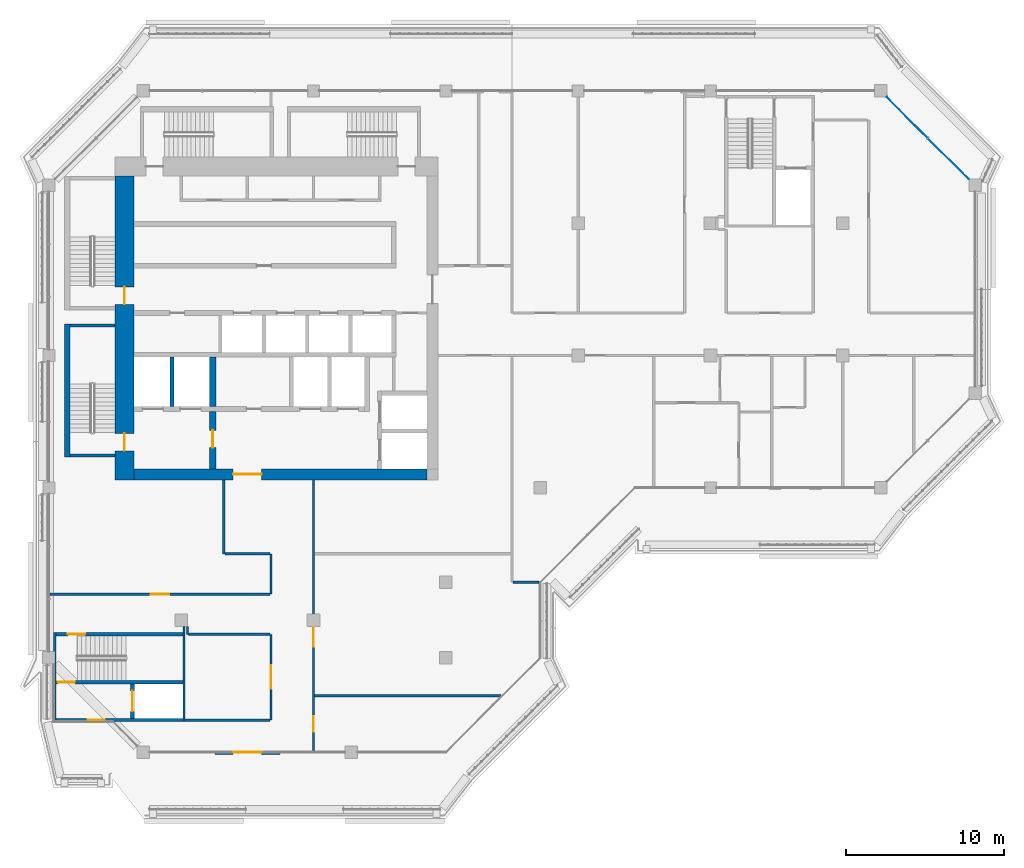
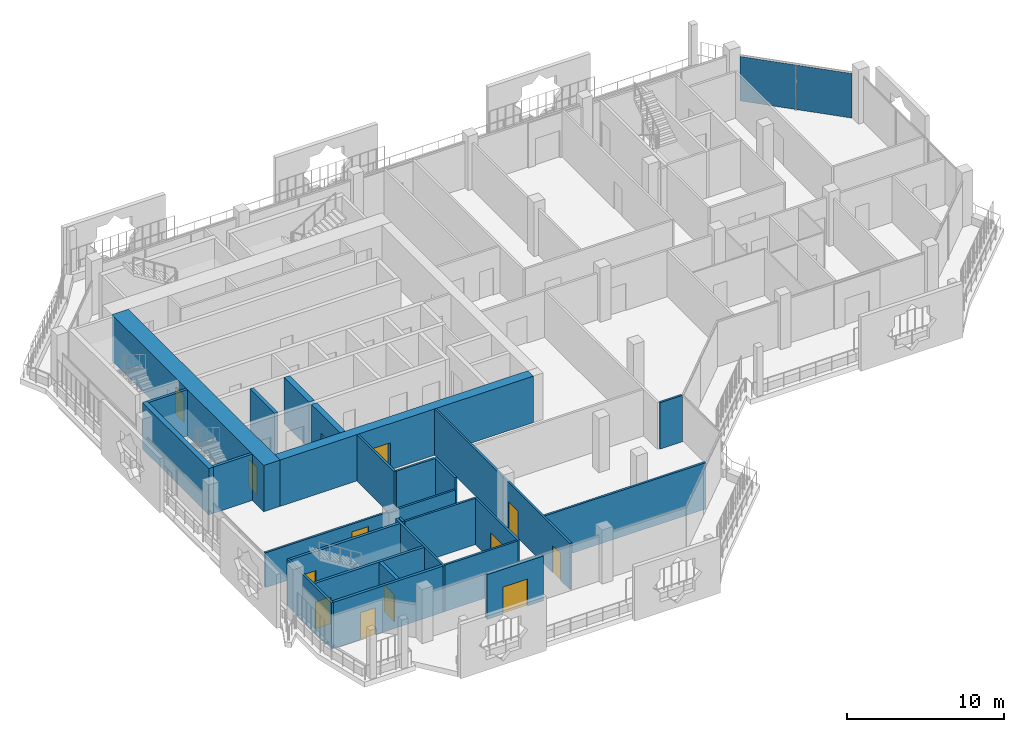
# One storey, part 10 of 21: 26 walls, 13 doors, 2 plates, 13 openings, 1 element without a shape of its own.
"""IFC4 building model written with IfcOpenShell, lengths in metres."""

from ifc_helpers import new_model, si_unit, direction, frame, frame_2d, origin, origin_2d, place, context, subcontext, project, spatial, rectangle, extrude, material, layer, layer_set, type_object, element, fill, aggregate, save


model = new_model("IFC4")

# Units and contexts
model_context = context("Model", 3, precision=1e-05, world=origin(), true_north=direction((0.0, 1.0)))
body_context = subcontext(model_context, "Body", "Model", "MODEL_VIEW")
ifc_project = project(units=[si_unit("LENGTHUNIT", "METRE"), si_unit("AREAUNIT", "SQUARE_METRE"), si_unit("VOLUMEUNIT", "CUBIC_METRE"), si_unit("PLANEANGLEUNIT", "RADIAN"), si_unit("MASSUNIT", "GRAM", prefix="KILO")], contexts=[model_context])

# Site, building, storey
site_placement = place(None, origin())
site = spatial("IfcSite", under=ifc_project, at=site_placement, CompositionType="ELEMENT")
building_placement = place(site_placement, origin())
building = spatial("IfcBuilding", under=site, at=building_placement, Name="Kawkab Arch Medical Tower", CompositionType="ELEMENT")
storey_placement = place(building_placement, frame((0.0, 0.0, 315.39990234375)))
storey = spatial("IfcBuildingStorey", under=building, at=storey_placement, Name="L73", CompositionType="ELEMENT", Elevation=315.39990234375)

# Curtain wall, plates
ifc_material_1 = material(Name="Bronze anodised aluminium curtain wall frame", Category="aluminium")
ifc_layer_1 = layer(ifc_material_1, 0.159912109375)
ifc_layer_set_1 = layer_set([ifc_layer_1], Name="Bronze anodised aluminium curtain wall frame")
curtain_wall_type = type_object("IfcCurtainWallType", Name="CW2 chamfer curtain wall", PredefinedType="NOTDEFINED", material=ifc_layer_set_1)
curtain_wall_placement = place(storey_placement, origin())
curtain_wall = element("IfcCurtainWall", 1, at=curtain_wall_placement, inside=storey, type_object=curtain_wall_type, Name="CW2 Chamfer curtain wall R14", PredefinedType="NOTDEFINED")
ifc_material_2 = material(Name="Tinted insulating glass, bronze low-e coating", Category="glass")
ifc_layer_2 = layer(ifc_material_2, 0.031982421875)
ifc_layer_set_2 = layer_set([ifc_layer_2], Name="Tinted insulating glass, bronze low-e coating")
plate_type = type_object("IfcPlateType", Name="CW2 glazing unit 32", PredefinedType="CURTAIN_PANEL", material=ifc_layer_set_2)
plate_1_placement = place(storey_placement, frame((57.110595703125, -4.310546875, 0.0), z_axis=(0.0, 0.0, 1.0), x_axis=(-0.707106781187, 0.707106781187, 0.0)))
plate_1 = element("IfcPlate", 2, at=plate_1_placement, type_object=plate_type, Name="CW2 glazing unit 1.1", PredefinedType="CURTAIN_PANEL", context=body_context, shape_type="SweptSolid", body=[
    extrude(rectangle(XDim=3.64697265625, YDim=0.031982421875, at=origin_2d()), origin(), (0.0, 0.0, 1.0), 3.4599609375),
])
plate_2_placement = place(storey_placement, frame((54.489501953125, -1.689453125, 0.0), z_axis=(0.0, 0.0, 1.0), x_axis=(-0.707106781187, 0.707106781187, 0.0)))
plate_2 = element("IfcPlate", 3, at=plate_2_placement, type_object=plate_type, Name="CW2 glazing unit 1.2", PredefinedType="CURTAIN_PANEL", context=body_context, shape_type="SweptSolid", body=[
    extrude(rectangle(XDim=3.64697265625, YDim=0.031982421875, at=origin_2d()), origin(), (0.0, 0.0, 1.0), 3.4599609375),
])
aggregate(curtain_wall, [plate_1, plate_2])

# Wall, openings, doors
ifc_material_3 = material(Name="Concrete C50/60", Category="concrete")
ifc_layer_3 = layer(ifc_material_3, 1.199951171875)
ifc_layer_set_3 = layer_set([ifc_layer_3], Name="Concrete C50/60")
wall_type_1 = type_object("IfcWallType", Name="Core ring wall 1200 C50/60", PredefinedType="SHEAR", material=ifc_layer_set_3)
wall_1_placement = place(storey_placement, frame((4.800048828125, -24.699951171875, 0.0), z_axis=(0.0, 0.0, 1.0), x_axis=(0.0, 1.0, 0.0)))
wall_1 = element("IfcWall", 4, at=wall_1_placement, inside=storey, type_object=wall_type_1, Name="L73 core wall", PredefinedType="SHEAR", context=body_context, shape_type="SweptSolid", body=[
    extrude(rectangle(XDim=19.300048828125, YDim=1.199951171875, at=frame_2d((9.64990234375, 0.0))), origin(), (0.0, 0.0, 1.0), 3.60009765625),
])
opening_1_placement = place(wall_1_placement, frame((11.14990234375, 0.0, 0.0)))
opening_1 = element("IfcOpeningElement", 5, at=opening_1_placement, cuts=wall_1, Name="Opening SD", PredefinedType="OPENING", context=body_context, shape_type="SweptSolid", body=[
    extrude(rectangle(XDim=1.10009765625, YDim=2.10009765625, at=frame_2d((0.550048828125, 1.050048828125))), frame((0.0, 0.60986328125, 0.0), z_axis=(0.0, -1.0, 0.0), x_axis=(1.0, 0.0, 0.0)), (0.0, 0.0, 1.0), 1.219970703125),
])
opening_2_placement = place(wall_1_placement, frame((1.85009765625, 0.0, 0.0)))
opening_2 = element("IfcOpeningElement", 6, at=opening_2_placement, cuts=wall_1, Name="Opening SD", PredefinedType="OPENING", context=body_context, shape_type="SweptSolid", body=[
    extrude(rectangle(XDim=1.10009765625, YDim=2.10009765625, at=frame_2d((0.550048828125, 1.050048828125))), frame((0.0, 0.60986328125, 0.0), z_axis=(0.0, -1.0, 0.0), x_axis=(1.0, 0.0, 0.0)), (0.0, 0.0, 1.0), 1.219970703125),
])
ifc_material_4 = material(Name="Hollow metal fire door leaf")
door_type_1 = type_object("IfcDoorType", Name="Exit stair door 1100", OperationType="SINGLE_SWING_LEFT", PredefinedType="DOOR", material=ifc_material_4)
door_1_placement = place(opening_1_placement, origin())
door_1 = element("IfcDoor", 7, at=door_1_placement, inside=storey, type_object=door_type_1, Name="L73 Exit stair ST1 door", OperationType="SINGLE_SWING_LEFT", OverallHeight=2.10009765625, OverallWidth=1.10009765625, PredefinedType="DOOR", context=body_context, shape_type="SweptSolid", body=[
    extrude(rectangle(XDim=1.10009765625, YDim=2.10009765625, at=frame_2d((0.550048828125, 1.050048828125))), frame((0.0, 0.02490234375, 0.0), z_axis=(0.0, -1.0, 0.0), x_axis=(1.0, 0.0, 0.0)), (0.0, 0.0, 1.0), 0.050048828125),
])
fill(opening_1, door_1)
door_2_placement = place(opening_2_placement, origin())
door_2 = element("IfcDoor", 8, at=door_2_placement, inside=storey, type_object=door_type_1, Name="L73 Exit stair ST2 door", OperationType="SINGLE_SWING_LEFT", OverallHeight=2.10009765625, OverallWidth=1.10009765625, PredefinedType="DOOR", context=body_context, shape_type="SweptSolid", body=[
    extrude(rectangle(XDim=1.10009765625, YDim=2.10009765625, at=frame_2d((0.550048828125, 1.050048828125))), frame((0.0, 0.02490234375, 0.0), z_axis=(0.0, -1.0, 0.0), x_axis=(1.0, 0.0, 0.0)), (0.0, 0.0, 1.0), 0.050048828125),
])
fill(opening_2, door_2)

# Wall, opening, door
ifc_material_5 = material(Name="Concrete C50/60", Category="concrete")
ifc_layer_4 = layer(ifc_material_5, 0.699951171875)
ifc_layer_set_4 = layer_set([ifc_layer_4], Name="Concrete C50/60")
wall_type_2 = type_object("IfcWallType", Name="Core ring wall 700 C50/60", PredefinedType="SHEAR", material=ifc_layer_set_4)
wall_2_placement = place(storey_placement, frame((5.39990234375, -24.35009765625, 0.0), z_axis=(0.0, 0.0, 1.0), x_axis=(1.0, 0.0, 0.0)))
wall_2 = element("IfcWall", 9, at=wall_2_placement, inside=storey, type_object=wall_type_2, Name="L73 core wall", PredefinedType="SHEAR", context=body_context, shape_type="SweptSolid", body=[
    extrude(rectangle(XDim=18.60009765625, YDim=0.699951171875, at=frame_2d((9.300048828125, 0.0))), origin(), (0.0, 0.0, 1.0), 3.60009765625),
])
opening_3_placement = place(wall_2_placement, frame((6.300048828125, 0.0, 0.0)))
opening_3 = element("IfcOpeningElement", 10, at=opening_3_placement, cuts=wall_2, Name="Opening PD", PredefinedType="OPENING", context=body_context, shape_type="SweptSolid", body=[
    extrude(rectangle(XDim=1.800048828125, YDim=2.10009765625, at=frame_2d((0.89990234375, 1.050048828125))), frame((0.0, 0.35986328125, 0.0), z_axis=(0.0, -1.0, 0.0), x_axis=(1.0, 0.0, 0.0)), (0.0, 0.0, 1.0), 0.719970703125),
])
ifc_material_6 = material(Name="Hollow metal fire door leaf")
door_type_2 = type_object("IfcDoorType", Name="Core entrance doors 1800", OperationType="DOUBLE_DOOR_SINGLE_SWING", PredefinedType="DOOR", material=ifc_material_6)
door_3_placement = place(opening_3_placement, origin())
door_3 = element("IfcDoor", 11, at=door_3_placement, inside=storey, type_object=door_type_2, Name="L73 South entrance doors", OperationType="DOUBLE_DOOR_SINGLE_SWING", OverallHeight=2.10009765625, OverallWidth=1.800048828125, PredefinedType="DOOR", context=body_context, shape_type="SweptSolid", body=[
    extrude(rectangle(XDim=1.800048828125, YDim=2.10009765625, at=frame_2d((0.89990234375, 1.050048828125))), frame((0.0, 0.02490234375, 0.0), z_axis=(0.0, -1.0, 0.0), x_axis=(1.0, 0.0, 0.0)), (0.0, 0.0, 1.0), 0.050048828125),
])
fill(opening_3, door_3)

# Wall
ifc_material_7 = material(Name="Concrete C60/75", Category="concrete")
ifc_layer_5 = layer(ifc_material_7, 0.25)
ifc_layer_set_5 = layer_set([ifc_layer_5], Name="Concrete C60/75")
wall_type_3 = type_object("IfcWallType", Name="Core shear wall 250 C60/75", PredefinedType="SHEAR", material=ifc_layer_set_5)
wall_3_placement = place(storey_placement, frame((7.800048828125, -20.050048828125, 0.0), z_axis=(0.0, 0.0, 1.0), x_axis=(0.0, 1.0, 0.0)))
element("IfcWall", 12, at=wall_3_placement, inside=storey, type_object=wall_type_3, Name="L73 core shear wall", PredefinedType="SHEAR", context=body_context, shape_type="SweptSolid", body=[
    extrude(rectangle(XDim=3.150146484375, YDim=0.25, at=frame_2d((1.5751953125, 0.0))), origin(), (0.0, 0.0, 1.0), 3.60009765625),
])

# Wall, opening, door
wall_4_placement = place(storey_placement, frame((5.300048828125, -39.85009765625, 0.0), z_axis=(0.0, 0.0, 1.0), x_axis=(0.0, 1.0, 0.0)))
wall_4 = element("IfcWall", 13, at=wall_4_placement, inside=storey, type_object=wall_type_3, Name="L73 core shear wall", PredefinedType="SHEAR", context=body_context, shape_type="SweptSolid", body=[
    extrude(rectangle(XDim=2.2001953125, YDim=0.25, at=frame_2d((1.10009765625, 0.0))), origin(), (0.0, 0.0, 1.0), 3.60009765625),
])
opening_4_placement = place(wall_4_placement, frame((0.449951171875, 0.0, 0.0)))
opening_4 = element("IfcOpeningElement", 14, at=opening_4_placement, cuts=wall_4, Name="Opening LD2", PredefinedType="OPENING", context=body_context, shape_type="SweptSolid", body=[
    extrude(rectangle(XDim=1.300048828125, YDim=2.10009765625, at=frame_2d((0.64990234375, 1.050048828125))), frame((0.0, 0.135009765625, 0.0), z_axis=(0.0, -1.0, 0.0), x_axis=(1.0, 0.0, 0.0)), (0.0, 0.0, 1.0), 0.27001953125),
])
ifc_material_8 = material(Name="Stainless steel lift door leaf", Category="steel")
door_type_3 = type_object("IfcDoorType", Name="Lift landing door 1300", OperationType="DOUBLE_DOOR_SLIDING", PredefinedType="DOOR", material=ifc_material_8)
door_4_placement = place(opening_4_placement, origin())
door_4 = element("IfcDoor", 15, at=door_4_placement, inside=storey, type_object=door_type_3, Name="L73 Lift landing door SV2", OperationType="DOUBLE_DOOR_SLIDING", OverallHeight=2.10009765625, OverallWidth=1.300048828125, PredefinedType="DOOR", context=body_context, shape_type="SweptSolid", body=[
    extrude(rectangle(XDim=1.300048828125, YDim=2.10009765625, at=frame_2d((0.64990234375, 1.050048828125))), frame((0.0, 0.02490234375, 0.0), z_axis=(0.0, -1.0, 0.0), x_axis=(1.0, 0.0, 0.0)), (0.0, 0.0, 1.0), 0.050048828125),
])
fill(opening_4, door_4)

ifc_material_9 = material(Name="Concrete C60/75", Category="concrete")
ifc_layer_6 = layer(ifc_material_9, 0.39990234375)
ifc_layer_set_6 = layer_set([ifc_layer_6], Name="Concrete C60/75")
wall_type_4 = type_object("IfcWallType", Name="Core shear wall 400 C60/75", PredefinedType="SHEAR", material=ifc_layer_set_6)
wall_5_placement = place(storey_placement, frame((10.39990234375, -24.0, 0.0), z_axis=(0.0, 0.0, 1.0), x_axis=(0.0, 1.0, 0.0)))
wall_5 = element("IfcWall", 16, at=wall_5_placement, inside=storey, type_object=wall_type_4, Name="L73 core shear wall", PredefinedType="SHEAR", context=body_context, shape_type="SweptSolid", body=[
    extrude(rectangle(XDim=3.64990234375, YDim=0.39990234375, at=frame_2d((1.824951171875, 0.0))), origin(), (0.0, 0.0, 1.0), 3.60009765625),
])
opening_5_placement = place(wall_5_placement, frame((1.35009765625, 0.0, 0.0)))
opening_5 = element("IfcOpeningElement", 17, at=opening_5_placement, cuts=wall_5, Name="Opening FD", PredefinedType="OPENING", context=body_context, shape_type="SweptSolid", body=[
    extrude(rectangle(XDim=1.10009765625, YDim=2.10009765625, at=frame_2d((0.550048828125, 1.050048828125))), frame((0.0, 0.2099609375, 0.0), z_axis=(0.0, -1.0, 0.0), x_axis=(1.0, 0.0, 0.0)), (0.0, 0.0, 1.0), 0.419921875),
])
ifc_material_10 = material(Name="Hollow metal fire door leaf")
door_type_4 = type_object("IfcDoorType", Name="Firefighting lobby door 1100", OperationType="SINGLE_SWING_LEFT", PredefinedType="DOOR", material=ifc_material_10)
door_5_placement = place(opening_5_placement, origin())
door_5 = element("IfcDoor", 18, at=door_5_placement, inside=storey, type_object=door_type_4, Name="L73 Firefighting lobby door", OperationType="SINGLE_SWING_LEFT", OverallHeight=2.10009765625, OverallWidth=1.10009765625, PredefinedType="DOOR", context=body_context, shape_type="SweptSolid", body=[
    extrude(rectangle(XDim=1.10009765625, YDim=2.10009765625, at=frame_2d((0.550048828125, 1.050048828125))), frame((0.0, 0.02490234375, 0.0), z_axis=(0.0, -1.0, 0.0), x_axis=(1.0, 0.0, 0.0)), (0.0, 0.0, 1.0), 0.050048828125),
])
fill(opening_5, door_5)

# Wall
wall_6_placement = place(storey_placement, frame((10.39990234375, -20.050048828125, 0.0), z_axis=(0.0, 0.0, 1.0), x_axis=(0.0, 1.0, 0.0)))
element("IfcWall", 19, at=wall_6_placement, inside=storey, type_object=wall_type_4, Name="L73 core shear wall", PredefinedType="SHEAR", context=body_context, shape_type="SweptSolid", body=[
    extrude(rectangle(XDim=3.150146484375, YDim=0.39990234375, at=frame_2d((1.5751953125, 0.0))), origin(), (0.0, 0.0, 1.0), 3.60009765625),
])

# Wall, opening, door
ifc_material_11 = material(Name="Bronze clad insulated wall panel")
ifc_layer_7 = layer(ifc_material_11, 0.25)
ifc_layer_set_7 = layer_set([ifc_layer_7], Name="Bronze clad insulated wall panel")
wall_type_5 = type_object("IfcWallType", Name="External wall bay 250", PredefinedType="SOLIDWALL", material=ifc_layer_set_7)
wall_7_placement = place(storey_placement, frame((10.533447265625, -42.0, 0.0), z_axis=(0.0, 0.0, 1.0), x_axis=(1.0, 0.0, 0.0)))
wall_7 = element("IfcWall", 20, at=wall_7_placement, inside=storey, type_object=wall_type_5, Name="External wall bay L73.R07.1.2", PredefinedType="SOLIDWALL", context=body_context, shape_type="SweptSolid", body=[
    extrude(rectangle(XDim=4.13330078125, YDim=0.25, at=frame_2d((2.066650390625, 0.0))), origin(), (0.0, 0.0, 1.0), 3.47998046875),
])
opening_6_placement = place(wall_7_placement, frame((1.166748046875, 0.0, 0.0)))
opening_6 = element("IfcOpeningElement", 21, at=opening_6_placement, cuts=wall_7, Name="Opening W68-701", PredefinedType="OPENING", context=body_context, shape_type="SweptSolid", body=[
    extrude(rectangle(XDim=1.800048828125, YDim=2.10009765625, at=frame_2d((0.89990234375, 1.050048828125))), frame((0.0, 0.135009765625, 0.0), z_axis=(0.0, -1.0, 0.0), x_axis=(1.0, 0.0, 0.0)), (0.0, 0.0, 1.0), 0.27001953125),
])
ifc_material_12 = material(Name="Bronze anodised aluminium door with tinted glass", Category="aluminium")
door_type_5 = type_object("IfcDoorType", Name="Double external door 1800 x 2100", OperationType="DOUBLE_DOOR_SINGLE_SWING", PredefinedType="DOOR", material=ifc_material_12)
door_6_placement = place(opening_6_placement, origin())
door_6 = element("IfcDoor", 22, at=door_6_placement, inside=storey, type_object=door_type_5, Name="External door L73.R07.1.2", OperationType="DOUBLE_DOOR_SINGLE_SWING", OverallHeight=2.10009765625, OverallWidth=1.800048828125, PredefinedType="DOOR", context=body_context, shape_type="SweptSolid", body=[
    extrude(rectangle(XDim=1.800048828125, YDim=2.10009765625, at=frame_2d((0.89990234375, 1.050048828125))), frame((0.0, 0.02490234375, 0.0), z_axis=(0.0, -1.0, 0.0), x_axis=(1.0, 0.0, 0.0)), (0.0, 0.0, 1.0), 0.050048828125),
])
fill(opening_6, door_6)

# Walls
ifc_material_13 = material(Name="Gypsum board partition on steel studs, mineral wool", Category="steel")
ifc_layer_8 = layer(ifc_material_13, 0.14990234375)
ifc_layer_set_8 = layer_set([ifc_layer_8], Name="Gypsum board partition on steel studs, mineral wool")
wall_type_6 = type_object("IfcWallType", Name="Partition 150", PredefinedType="PARTITIONING", material=ifc_layer_set_8)
wall_8_placement = place(storey_placement, frame((8.64990234375, -39.949951171875, 0.0), z_axis=(0.0, 0.0, 1.0), x_axis=(1.0, 0.0, 0.0)))
element("IfcWall", 23, at=wall_8_placement, inside=storey, type_object=wall_type_6, Name="Partition 150 w007", PredefinedType="PARTITIONING", context=body_context, shape_type="SweptSolid", body=[
    extrude(rectangle(XDim=5.375, YDim=0.14990234375, at=frame_2d((2.6875, 0.0))), origin(), (0.0, 0.0, 1.0), 3.60009765625),
])
wall_9_placement = place(storey_placement, frame((16.875, -38.39990234375, 0.0), z_axis=(0.0, 0.0, 1.0), x_axis=(1.0, 0.0, 0.0)))
element("IfcWall", 24, at=wall_9_placement, inside=storey, type_object=wall_type_6, Name="Partition 150 w008", PredefinedType="PARTITIONING", context=body_context, shape_type="SweptSolid", body=[
    extrude(rectangle(XDim=11.81201171875, YDim=0.14990234375, at=frame_2d((5.906005859375, 0.0))), origin(), (0.0, 0.0, 1.0), 3.60009765625),
])
wall_10_placement = place(storey_placement, frame((8.875, -34.5, 0.0), z_axis=(0.0, 0.0, 1.0), x_axis=(1.0, 0.0, 0.0)))
element("IfcWall", 25, at=wall_10_placement, inside=storey, type_object=wall_type_6, Name="Partition 150 w009", PredefinedType="PARTITIONING", context=body_context, shape_type="SweptSolid", body=[
    extrude(rectangle(XDim=5.14990234375, YDim=0.14990234375, at=frame_2d((2.574951171875, 0.0))), origin(), (0.0, 0.0, 1.0), 3.60009765625),
])

# Wall, opening, door
wall_11_placement = place(storey_placement, frame((0.080078125, -31.95703125, 0.0), z_axis=(0.0, 0.0, 1.0), x_axis=(1.0, 0.0, 0.0)))
wall_11 = element("IfcWall", 26, at=wall_11_placement, inside=storey, type_object=wall_type_6, Name="Partition 150 w010", PredefinedType="PARTITIONING", context=body_context, shape_type="SweptSolid", body=[
    extrude(rectangle(XDim=13.94482421875, YDim=0.14990234375, at=frame_2d((6.972412109375, 0.0))), origin(), (0.0, 0.0, 1.0), 2.7001953125),
])
opening_7_placement = place(wall_11_placement, frame((6.3701171875, 0.0, 0.0)))
opening_7 = element("IfcOpeningElement", 27, at=opening_7_placement, cuts=wall_11, Name="Opening W68-019", PredefinedType="OPENING", context=body_context, shape_type="SweptSolid", body=[
    extrude(rectangle(XDim=1.199951171875, YDim=2.10009765625, at=frame_2d((0.60009765625, 1.050048828125))), frame((0.0, 0.0849609375, 0.0), z_axis=(0.0, -1.0, 0.0), x_axis=(1.0, 0.0, 0.0)), (0.0, 0.0, 1.0), 0.169921875),
])
ifc_material_14 = material(Name="Hollow metal door leaf")
door_type_6 = type_object("IfcDoorType", Name="Single door 1200x2100 FD30S", OperationType="NOTDEFINED", PredefinedType="DOOR", material=ifc_material_14)
door_7_placement = place(opening_7_placement, origin())
door_7 = element("IfcDoor", 28, at=door_7_placement, inside=storey, type_object=door_type_6, Name="Door W68-019", OperationType="SINGLE_SWING_LEFT", OverallHeight=2.10009765625, OverallWidth=1.199951171875, PredefinedType="DOOR", context=body_context, shape_type="SweptSolid", body=[
    extrude(rectangle(XDim=1.199951171875, YDim=2.10009765625, at=frame_2d((0.60009765625, 1.050048828125))), frame((0.0, 0.02490234375, 0.0), z_axis=(0.0, -1.0, 0.0), x_axis=(1.0, 0.0, 0.0)), (0.0, 0.0, 1.0), 0.050048828125),
])
fill(opening_7, door_7)

# Walls
wall_12_placement = place(storey_placement, frame((29.47705078125, -31.199951171875, 0.0), z_axis=(0.0, 0.0, 1.0), x_axis=(1.0, 0.0, 0.0)))
element("IfcWall", 29, at=wall_12_placement, inside=storey, type_object=wall_type_6, Name="Partition 150 w011", PredefinedType="PARTITIONING", context=body_context, shape_type="SweptSolid", body=[
    extrude(rectangle(XDim=1.64306640625, YDim=0.14990234375, at=frame_2d((0.821533203125, 0.0))), origin(), (0.0, 0.0, 1.0), 3.60009765625),
])
wall_13_placement = place(storey_placement, frame((11.177001953125, -29.39990234375, 0.0), z_axis=(0.0, 0.0, 1.0), x_axis=(1.0, 0.0, 0.0)))
element("IfcWall", 30, at=wall_13_placement, inside=storey, type_object=wall_type_6, Name="Partition 150 w012", PredefinedType="PARTITIONING", context=body_context, shape_type="SweptSolid", body=[
    extrude(rectangle(XDim=2.847900390625, YDim=0.14990234375, at=frame_2d((1.423828125, 0.0))), origin(), (0.0, 0.0, 1.0), 3.60009765625),
])
wall_14_placement = place(storey_placement, frame((8.800048828125, -34.5, 0.0), z_axis=(0.0, 0.0, 1.0), x_axis=(0.0, 1.0, 0.0)))
element("IfcWall", 31, at=wall_14_placement, inside=storey, type_object=wall_type_6, Name="Partition 150 w025", PredefinedType="PARTITIONING", context=body_context, shape_type="SweptSolid", body=[
    extrude(rectangle(XDim=0.4990234375, YDim=0.14990234375, at=frame_2d((0.24951171875, 0.0))), origin(), (0.0, 0.0, 1.0), 3.60009765625),
])
wall_15_placement = place(storey_placement, frame((11.10009765625, -29.39892578125, 0.0), z_axis=(0.0, 0.0, 1.0), x_axis=(0.0, 1.0, 0.0)))
element("IfcWall", 32, at=wall_15_placement, inside=storey, type_object=wall_type_6, Name="Partition 150 w026", PredefinedType="PARTITIONING", context=body_context, shape_type="SweptSolid", body=[
    extrude(rectangle(XDim=4.698974609375, YDim=0.14990234375, at=frame_2d((2.349609375, 0.0))), origin(), (0.0, 0.0, 1.0), 3.60009765625),
])

# Wall, opening, door
wall_16_placement = place(storey_placement, frame((14.10009765625, -39.949951171875, 0.0), z_axis=(0.0, 0.0, 1.0), x_axis=(0.0, 1.0, 0.0)))
wall_16 = element("IfcWall", 33, at=wall_16_placement, inside=storey, type_object=wall_type_6, Name="Partition 150 w027", PredefinedType="PARTITIONING", context=body_context, shape_type="SweptSolid", body=[
    extrude(rectangle(XDim=5.449951171875, YDim=0.14990234375, at=frame_2d((2.72509765625, 0.0))), origin(), (0.0, 0.0, 1.0), 3.60009765625),
])
opening_8_placement = place(wall_16_placement, frame((1.97509765625, 0.0, 0.0)))
opening_8 = element("IfcOpeningElement", 34, at=opening_8_placement, cuts=wall_16, Name="Opening W68-003", PredefinedType="OPENING", context=body_context, shape_type="SweptSolid", body=[
    extrude(rectangle(XDim=1.5, YDim=2.10009765625, at=frame_2d((0.75, 1.050048828125))), frame((0.0, 0.0849609375, 0.0), z_axis=(0.0, -1.0, 0.0), x_axis=(1.0, 0.0, 0.0)), (0.0, 0.0, 1.0), 0.169921875),
])
ifc_material_15 = material(Name="Hollow metal door leaf")
door_type_7 = type_object("IfcDoorType", Name="Double door 1500x2100 FD30S", OperationType="NOTDEFINED", PredefinedType="DOOR", material=ifc_material_15)
door_8_placement = place(opening_8_placement, origin())
door_8 = element("IfcDoor", 35, at=door_8_placement, inside=storey, type_object=door_type_7, Name="Door W68-003", OperationType="DOUBLE_DOOR_SINGLE_SWING", OverallHeight=2.10009765625, OverallWidth=1.5, PredefinedType="DOOR", context=body_context, shape_type="SweptSolid", body=[
    extrude(rectangle(XDim=1.5, YDim=2.10009765625, at=frame_2d((0.75, 1.050048828125))), frame((0.0, 0.02490234375, 0.0), z_axis=(0.0, -1.0, 0.0), x_axis=(1.0, 0.0, 0.0)), (0.0, 0.0, 1.0), 0.050048828125),
])
fill(opening_8, door_8)

# Wall
wall_17_placement = place(storey_placement, frame((14.10009765625, -31.95703125, 0.0), z_axis=(0.0, 0.0, 1.0), x_axis=(0.0, 1.0, 0.0)))
element("IfcWall", 36, at=wall_17_placement, inside=storey, type_object=wall_type_6, Name="Partition 150 w028", PredefinedType="PARTITIONING", context=body_context, shape_type="SweptSolid", body=[
    extrude(rectangle(XDim=2.55712890625, YDim=0.14990234375, at=frame_2d((1.278564453125, 0.0))), origin(), (0.0, 0.0, 1.0), 3.60009765625),
])

# Wall, openings, doors
wall_18_placement = place(storey_placement, frame((16.800048828125, -41.919921875, 0.0), z_axis=(0.0, 0.0, 1.0), x_axis=(0.0, 1.0, 0.0)))
wall_18 = element("IfcWall", 37, at=wall_18_placement, inside=storey, type_object=wall_type_6, Name="Partition 150 w030", PredefinedType="PARTITIONING", context=body_context, shape_type="SweptSolid", body=[
    extrude(rectangle(XDim=17.219970703125, YDim=0.14990234375, at=frame_2d((8.60986328125, 0.0))), origin(), (0.0, 0.0, 1.0), 3.60009765625),
])
opening_9_placement = place(wall_18_placement, frame((6.6201171875, 0.0, 0.0)))
opening_9 = element("IfcOpeningElement", 38, at=opening_9_placement, cuts=wall_18, Name="Opening W68-020", PredefinedType="OPENING", context=body_context, shape_type="SweptSolid", body=[
    extrude(rectangle(XDim=1.199951171875, YDim=2.10009765625, at=frame_2d((0.60009765625, 1.050048828125))), frame((0.0, 0.0849609375, 0.0), z_axis=(0.0, -1.0, 0.0), x_axis=(1.0, 0.0, 0.0)), (0.0, 0.0, 1.0), 0.169921875),
])
opening_10_placement = place(wall_18_placement, frame((1.219970703125, 0.0, 0.0)))
opening_10 = element("IfcOpeningElement", 39, at=opening_10_placement, cuts=wall_18, Name="Opening W68-013", PredefinedType="OPENING", context=body_context, shape_type="SweptSolid", body=[
    extrude(rectangle(XDim=1.0, YDim=2.10009765625, at=frame_2d((0.5, 1.050048828125))), frame((0.0, 0.0849609375, 0.0), z_axis=(0.0, -1.0, 0.0), x_axis=(1.0, 0.0, 0.0)), (0.0, 0.0, 1.0), 0.169921875),
])
ifc_material_16 = material(Name="Hollow metal door leaf")
door_type_8 = type_object("IfcDoorType", Name="Single door 1000x2100 FD30S", OperationType="NOTDEFINED", PredefinedType="DOOR", material=ifc_material_16)
door_9_placement = place(opening_10_placement, origin())
door_9 = element("IfcDoor", 40, at=door_9_placement, inside=storey, type_object=door_type_8, Name="Door W68-013", OperationType="SINGLE_SWING_RIGHT", OverallHeight=2.10009765625, OverallWidth=1.0, PredefinedType="DOOR", context=body_context, shape_type="SweptSolid", body=[
    extrude(rectangle(XDim=1.0, YDim=2.10009765625, at=frame_2d((0.5, 1.050048828125))), frame((0.0, 0.02490234375, 0.0), z_axis=(0.0, -1.0, 0.0), x_axis=(1.0, 0.0, 0.0)), (0.0, 0.0, 1.0), 0.050048828125),
])
fill(opening_10, door_9)
door_10_placement = place(opening_9_placement, origin())
door_10 = element("IfcDoor", 41, at=door_10_placement, inside=storey, type_object=door_type_6, Name="Door W68-020", OperationType="SINGLE_SWING_RIGHT", OverallHeight=2.10009765625, OverallWidth=1.199951171875, PredefinedType="DOOR", context=body_context, shape_type="SweptSolid", body=[
    extrude(rectangle(XDim=1.199951171875, YDim=2.10009765625, at=frame_2d((0.60009765625, 1.050048828125))), frame((0.0, 0.02490234375, 0.0), z_axis=(0.0, -1.0, 0.0), x_axis=(1.0, 0.0, 0.0)), (0.0, 0.0, 1.0), 0.050048828125),
])
fill(opening_9, door_10)

# Walls
ifc_material_17 = material(Name="Concrete C50/60", Category="concrete")
ifc_layer_9 = layer(ifc_material_17, 0.14990234375)
ifc_layer_set_9 = layer_set([ifc_layer_9], Name="Concrete C50/60")
wall_type_7 = type_object("IfcWallType", Name="Stair enclosure wall 150 C50/60", PredefinedType="SHEAR", material=ifc_layer_set_9)
wall_19_placement = place(storey_placement, frame((0.375, -40.050048828125, 0.0), z_axis=(0.0, 0.0, 1.0), x_axis=(0.0, 1.0, 0.0)))
element("IfcWall", 42, at=wall_19_placement, inside=storey, type_object=wall_type_7, Name="L73 stair enclosure wall", PredefinedType="SHEAR", context=body_context, shape_type="SweptSolid", body=[
    extrude(rectangle(XDim=5.650146484375, YDim=0.14990234375, at=frame_2d((2.8251953125, 0.0))), origin(), (0.0, 0.0, 1.0), 3.60009765625),
])
wall_20_placement = place(storey_placement, frame((8.574951171875, -40.050048828125, 0.0), z_axis=(0.0, 0.0, 1.0), x_axis=(0.0, 1.0, 0.0)))
element("IfcWall", 43, at=wall_20_placement, inside=storey, type_object=wall_type_7, Name="L73 stair enclosure wall", PredefinedType="SHEAR", context=body_context, shape_type="SweptSolid", body=[
    extrude(rectangle(XDim=6.050048828125, YDim=0.14990234375, at=frame_2d((3.02490234375, 0.0))), origin(), (0.0, 0.0, 1.0), 3.60009765625),
])
ifc_material_18 = material(Name="Concrete C50/60", Category="concrete")
ifc_layer_10 = layer(ifc_material_18, 0.199951171875)
ifc_layer_set_10 = layer_set([ifc_layer_10], Name="Concrete C50/60")
wall_type_8 = type_object("IfcWallType", Name="Stair enclosure wall 200 C50/60", PredefinedType="SHEAR", material=ifc_layer_set_10)
for number, where, z_axis, x_axis, name in (
    (44, (1.35009765625, -14.89990234375, 0.0), (0.0, 0.0, 1.0), (1.0, 0.0, 0.0), "L73 stair enclosure wall"),
    (45, (1.35009765625, -23.14990234375, 0.0), (0.0, 0.0, 1.0), (1.0, 0.0, 0.0), "L73 stair enclosure wall"),
):
    element("IfcWall", number, at=place(storey_placement, frame(where, z_axis=z_axis, x_axis=x_axis)), inside=storey, type_object=wall_type_8, Name=name, PredefinedType="SHEAR", context=body_context, shape_type="SweptSolid", body=[
        extrude(rectangle(XDim=2.849853515625, YDim=0.199951171875, at=frame_2d((1.4248046875, 0.0))), origin(), (0.0, 0.0, 1.0), 3.60009765625),
    ])

# Wall, opening, door
wall_21_placement = place(storey_placement, frame((0.449951171875, -34.5, 0.0), z_axis=(0.0, 0.0, 1.0), x_axis=(1.0, 0.0, 0.0)))
wall_21 = element("IfcWall", 46, at=wall_21_placement, inside=storey, type_object=wall_type_8, Name="L73 stair enclosure wall", PredefinedType="SHEAR", context=body_context, shape_type="SweptSolid", body=[
    extrude(rectangle(XDim=8.050048828125, YDim=0.199951171875, at=frame_2d((4.02490234375, 0.0))), origin(), (0.0, 0.0, 1.0), 3.60009765625),
])
opening_11_placement = place(wall_21_placement, frame((0.75, 0.0, 0.0)))
opening_11 = element("IfcOpeningElement", 47, at=opening_11_placement, cuts=wall_21, Name="Opening SD", PredefinedType="OPENING", context=body_context, shape_type="SweptSolid", body=[
    extrude(rectangle(XDim=1.10009765625, YDim=2.10009765625, at=frame_2d((0.550048828125, 1.050048828125))), frame((0.0, 0.10986328125, 0.0), z_axis=(0.0, -1.0, 0.0), x_axis=(1.0, 0.0, 0.0)), (0.0, 0.0, 1.0), 0.219970703125),
])
door_11_placement = place(opening_11_placement, origin())
door_11 = element("IfcDoor", 48, at=door_11_placement, inside=storey, type_object=door_type_1, Name="L73 Exit stair ST6 door", OperationType="SINGLE_SWING_LEFT", OverallHeight=2.10009765625, OverallWidth=1.10009765625, PredefinedType="DOOR", context=body_context, shape_type="SweptSolid", body=[
    extrude(rectangle(XDim=1.10009765625, YDim=2.10009765625, at=frame_2d((0.550048828125, 1.050048828125))), frame((0.0, 0.02490234375, 0.0), z_axis=(0.0, -1.0, 0.0), x_axis=(1.0, 0.0, 0.0)), (0.0, 0.0, 1.0), 0.050048828125),
])
fill(opening_11, door_11)

wall_22_placement = place(storey_placement, frame((0.449951171875, -37.550048828125, 0.0), z_axis=(0.0, 0.0, 1.0), x_axis=(1.0, 0.0, 0.0)))
wall_22 = element("IfcWall", 49, at=wall_22_placement, inside=storey, type_object=wall_type_8, Name="L73 stair enclosure wall", PredefinedType="SHEAR", context=body_context, shape_type="SweptSolid", body=[
    extrude(rectangle(XDim=8.050048828125, YDim=0.199951171875, at=frame_2d((4.02490234375, 0.0))), origin(), (0.0, 0.0, 1.0), 3.60009765625),
])
opening_12_placement = place(wall_22_placement, frame((0.10009765625, 0.0, 0.0)))
opening_12 = element("IfcOpeningElement", 50, at=opening_12_placement, cuts=wall_22, Name="Opening SD", PredefinedType="OPENING", context=body_context, shape_type="SweptSolid", body=[
    extrude(rectangle(XDim=1.10009765625, YDim=2.10009765625, at=frame_2d((0.550048828125, 1.050048828125))), frame((0.0, 0.10986328125, 0.0), z_axis=(0.0, -1.0, 0.0), x_axis=(1.0, 0.0, 0.0)), (0.0, 0.0, 1.0), 0.219970703125),
])
door_12_placement = place(opening_12_placement, frame((1.10009765625, 0.0, 0.0), z_axis=(0.0, 0.0, 1.0), x_axis=(-1.0, 0.0, 0.0)))
door_12 = element("IfcDoor", 51, at=door_12_placement, inside=storey, type_object=door_type_1, Name="L73 Exit stair ST6 lobby door", OperationType="SINGLE_SWING_LEFT", OverallHeight=2.10009765625, OverallWidth=1.10009765625, PredefinedType="DOOR", context=body_context, shape_type="SweptSolid", body=[
    extrude(rectangle(XDim=1.10009765625, YDim=2.10009765625, at=frame_2d((0.550048828125, 1.050048828125))), frame((0.0, 0.02490234375, 0.0), z_axis=(0.0, -1.0, 0.0), x_axis=(1.0, 0.0, 0.0)), (0.0, 0.0, 1.0), 0.050048828125),
])
fill(opening_12, door_12)

wall_23_placement = place(storey_placement, frame((0.449951171875, -39.949951171875, 0.0), z_axis=(0.0, 0.0, 1.0), x_axis=(1.0, 0.0, 0.0)))
wall_23 = element("IfcWall", 52, at=wall_23_placement, inside=storey, type_object=wall_type_8, Name="L73 stair enclosure wall", PredefinedType="SHEAR", context=body_context, shape_type="SweptSolid", body=[
    extrude(rectangle(XDim=8.050048828125, YDim=0.199951171875, at=frame_2d((4.02490234375, 0.0))), origin(), (0.0, 0.0, 1.0), 3.60009765625),
])
opening_13_placement = place(wall_23_placement, frame((2.0, 0.0, 0.0)))
opening_13 = element("IfcOpeningElement", 53, at=opening_13_placement, cuts=wall_23, Name="Opening FD", PredefinedType="OPENING", context=body_context, shape_type="SweptSolid", body=[
    extrude(rectangle(XDim=1.10009765625, YDim=2.10009765625, at=frame_2d((0.550048828125, 1.050048828125))), frame((0.0, 0.10986328125, 0.0), z_axis=(0.0, -1.0, 0.0), x_axis=(1.0, 0.0, 0.0)), (0.0, 0.0, 1.0), 0.219970703125),
])
door_13_placement = place(opening_13_placement, origin())
door_13 = element("IfcDoor", 54, at=door_13_placement, inside=storey, type_object=door_type_4, Name="L73 Service lift lobby door SV2", OperationType="SINGLE_SWING_LEFT", OverallHeight=2.10009765625, OverallWidth=1.10009765625, PredefinedType="DOOR", context=body_context, shape_type="SweptSolid", body=[
    extrude(rectangle(XDim=1.10009765625, YDim=2.10009765625, at=frame_2d((0.550048828125, 1.050048828125))), frame((0.0, 0.02490234375, 0.0), z_axis=(0.0, -1.0, 0.0), x_axis=(1.0, 0.0, 0.0)), (0.0, 0.0, 1.0), 0.050048828125),
])
fill(opening_13, door_13)

# Wall
ifc_material_19 = material(Name="Concrete C50/60", Category="concrete")
ifc_layer_11 = layer(ifc_material_19, 0.35009765625)
ifc_layer_set_11 = layer_set([ifc_layer_11], Name="Concrete C50/60")
wall_type_9 = type_object("IfcWallType", Name="Stair enclosure wall 350 C50/60", PredefinedType="SHEAR", material=ifc_layer_set_11)
wall_24_placement = place(storey_placement, frame((1.175048828125, -23.25, 0.0), z_axis=(0.0, 0.0, 1.0), x_axis=(0.0, 1.0, 0.0)))
element("IfcWall", 55, at=wall_24_placement, inside=storey, type_object=wall_type_9, Name="L73 stair enclosure wall", PredefinedType="SHEAR", context=body_context, shape_type="SweptSolid", body=[
    extrude(rectangle(XDim=8.449951171875, YDim=0.35009765625, at=frame_2d((4.22509765625, 0.0))), origin(), (0.0, 0.0, 1.0), 3.60009765625),
])

save(model, "model.ifc")
